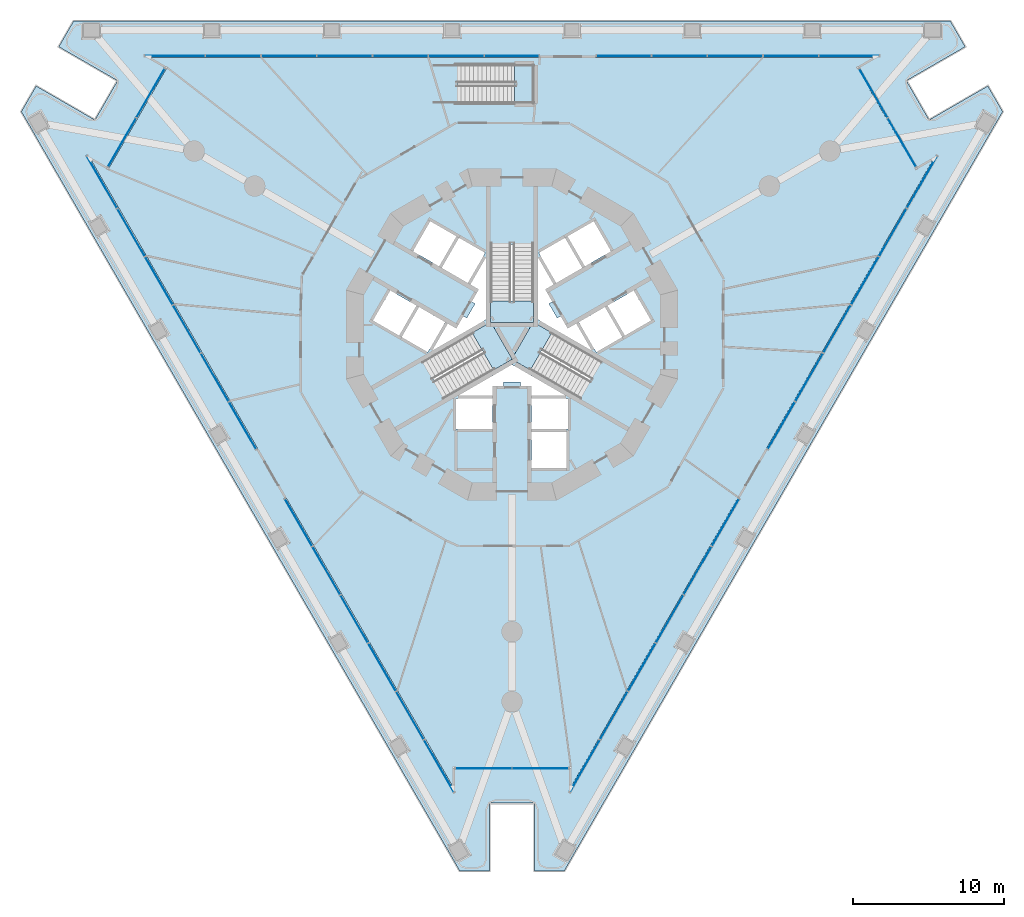
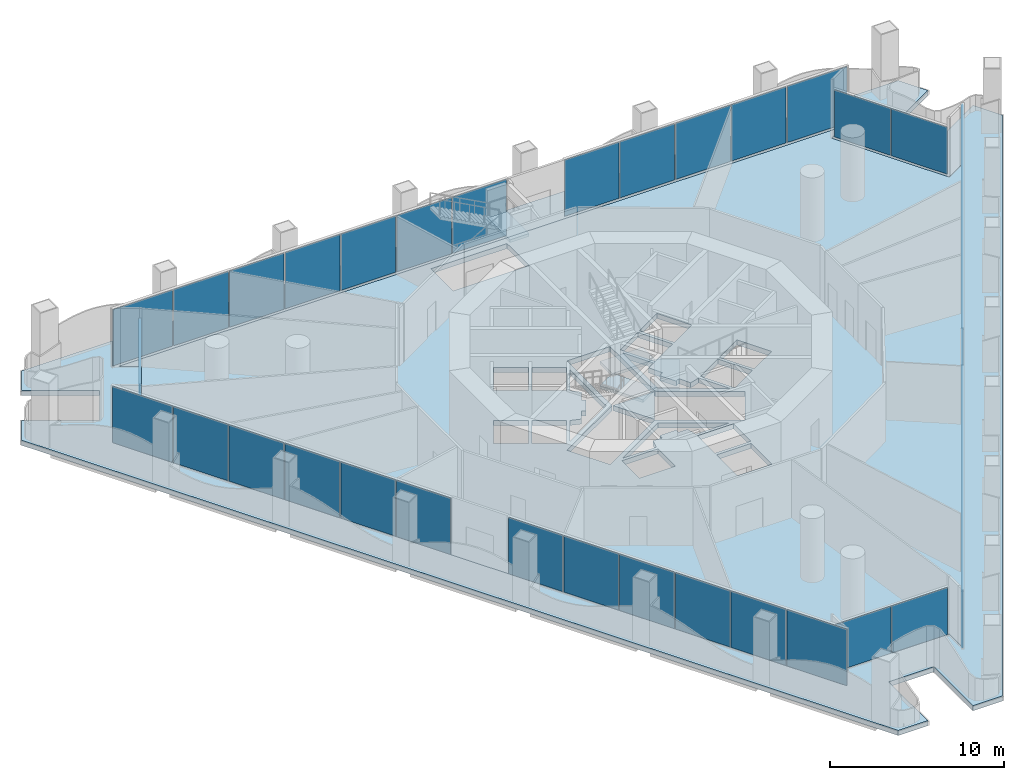
# One storey, part 9 of 22: 42 plates, 7 slabs, 13 elements without a shape of their own.
"""IFC4 building model written with IfcOpenShell, lengths in metres."""

from ifc_helpers import new_model, si_unit, direction, frame, origin, origin_2d, place, context, subcontext, project, spatial, polyline, rectangle, outline, extrude, material, layer, layer_set, type_object, element, aggregate, save


model = new_model("IFC4")

# Units and contexts
model_context = context("Model", 3, precision=1e-05, world=origin(), true_north=direction((0.0, 1.0)))
body_context = subcontext(model_context, "Body", "Model", "MODEL_VIEW")
ifc_project = project(units=[si_unit("LENGTHUNIT", "METRE"), si_unit("AREAUNIT", "SQUARE_METRE"), si_unit("VOLUMEUNIT", "CUBIC_METRE"), si_unit("PLANEANGLEUNIT", "RADIAN"), si_unit("MASSUNIT", "GRAM", prefix="KILO")], contexts=[model_context])

# Site, building, storey
site_placement = place(None, origin())
site = spatial("IfcSite", under=ifc_project, at=site_placement, CompositionType="ELEMENT")
building_placement = place(site_placement, origin())
building = spatial("IfcBuilding", under=site, at=building_placement, Name="Trine Commons Tower", CompositionType="ELEMENT")
storey_placement = place(building_placement, frame((0.0, 0.0, 22.5)))
storey = spatial("IfcBuildingStorey", under=building, at=storey_placement, Name="L04", CompositionType="ELEMENT", Elevation=22.5)

# Curtain wall, plates
ifc_material_1 = material(Name="Corner pocket glazing: anodised aluminium frame with low-emissivity double glazed unit, laminated", Category="aluminium")
ifc_layer_1 = layer(ifc_material_1, 0.179931640625)
ifc_layer_set_1 = layer_set([ifc_layer_1], Name="Corner pocket glazing: anodised aluminium frame with low-emissivity double glazed unit, laminated")
curtain_wall_type_1 = type_object("IfcCurtainWallType", Name="Corner pocket glazing curtain wall CW8", PredefinedType="NOTDEFINED", material=ifc_layer_set_1)
curtain_wall_1_placement = place(storey_placement, origin())
curtain_wall_1 = element("IfcCurtainWall", 1, at=curtain_wall_1_placement, inside=storey, type_object=curtain_wall_type_1, Name="Corner pocket glazing L04 P1.1", PredefinedType="NOTDEFINED")
ifc_material_2 = material(Name="Low-emissivity double glazed unit, laminated")
ifc_layer_2 = layer(ifc_material_2, 0.030029296875)
ifc_layer_set_2 = layer_set([ifc_layer_2], Name="Low-emissivity double glazed unit, laminated")
plate_type_1 = type_object("IfcPlateType", Name="Double glazed unit 30 mm (corner pockets)", PredefinedType="CURTAIN_PANEL", material=ifc_layer_set_2)
plate_1_placement = place(storey_placement, frame((54.15185546875, 75.248291015625, 0.08984375), z_axis=(0.0, 0.0, 1.0), x_axis=(0.5, 0.866025403784, 0.0)))
plate_1 = element("IfcPlate", 2, at=plate_1_placement, type_object=plate_type_1, Name="CW8 panel 1.1", PredefinedType="CURTAIN_PANEL", context=body_context, shape_type="SweptSolid", body=[
    extrude(rectangle(XDim=3.702392578125, YDim=0.030029296875, at=origin_2d()), origin(), (0.0, 0.0, 1.0), 3.300048828125),
])
plate_2_placement = place(storey_placement, frame((56.03564453125, 78.510986328125, 0.08984375), z_axis=(0.0, 0.0, 1.0), x_axis=(0.5, 0.866025403784, 0.0)))
plate_2 = element("IfcPlate", 3, at=plate_2_placement, type_object=plate_type_1, Name="CW8 panel 2.1", PredefinedType="CURTAIN_PANEL", context=body_context, shape_type="SweptSolid", body=[
    extrude(rectangle(XDim=3.702392578125, YDim=0.030029296875, at=origin_2d()), origin(), (0.0, 0.0, 1.0), 3.300048828125),
])
aggregate(curtain_wall_1, [plate_1, plate_2])

curtain_wall_2_placement = place(storey_placement, origin())
curtain_wall_2 = element("IfcCurtainWall", 4, at=curtain_wall_2_placement, inside=storey, type_object=curtain_wall_type_1, Name="Corner pocket glazing L04 P2.1", PredefinedType="NOTDEFINED")
plate_3_placement = place(storey_placement, frame((103.96435546875, 78.510986328125, 0.08984375), z_axis=(0.0, 0.0, 1.0), x_axis=(0.5, -0.866025403784, 0.0)))
plate_3 = element("IfcPlate", 5, at=plate_3_placement, type_object=plate_type_1, Name="CW8 panel 1.1", PredefinedType="CURTAIN_PANEL", context=body_context, shape_type="SweptSolid", body=[
    extrude(rectangle(XDim=3.702392578125, YDim=0.030029296875, at=origin_2d()), origin(), (0.0, 0.0, 1.0), 3.300048828125),
])
plate_4_placement = place(storey_placement, frame((105.84814453125, 75.248291015625, 0.08984375), z_axis=(0.0, 0.0, 1.0), x_axis=(0.5, -0.866025403784, 0.0)))
plate_4 = element("IfcPlate", 6, at=plate_4_placement, type_object=plate_type_1, Name="CW8 panel 2.1", PredefinedType="CURTAIN_PANEL", context=body_context, shape_type="SweptSolid", body=[
    extrude(rectangle(XDim=3.702392578125, YDim=0.030029296875, at=origin_2d()), origin(), (0.0, 0.0, 1.0), 3.300048828125),
])
aggregate(curtain_wall_2, [plate_3, plate_4])

curtain_wall_3_placement = place(storey_placement, origin())
curtain_wall_3 = element("IfcCurtainWall", 7, at=curtain_wall_3_placement, inside=storey, type_object=curtain_wall_type_1, Name="Corner pocket glazing L04 P3.1", PredefinedType="NOTDEFINED")
plate_5_placement = place(storey_placement, frame((81.8837890625, 33.74072265625, 0.08984375), z_axis=(0.0, 0.0, 1.0), x_axis=(-1.0, 0.0, 0.0)))
plate_5 = element("IfcPlate", 8, at=plate_5_placement, type_object=plate_type_1, Name="CW8 panel 1.1", PredefinedType="CURTAIN_PANEL", context=body_context, shape_type="SweptSolid", body=[
    extrude(rectangle(XDim=3.702392578125, YDim=0.030029296875, at=origin_2d()), origin(), (0.0, 0.0, 1.0), 3.300048828125),
])
plate_6_placement = place(storey_placement, frame((78.1162109375, 33.74072265625, 0.08984375), z_axis=(0.0, 0.0, 1.0), x_axis=(-1.0, 0.0, 0.0)))
plate_6 = element("IfcPlate", 9, at=plate_6_placement, type_object=plate_type_1, Name="CW8 panel 2.1", PredefinedType="CURTAIN_PANEL", context=body_context, shape_type="SweptSolid", body=[
    extrude(rectangle(XDim=3.702392578125, YDim=0.030029296875, at=origin_2d()), origin(), (0.0, 0.0, 1.0), 3.300048828125),
])
aggregate(curtain_wall_3, [plate_5, plate_6])

ifc_material_3 = material(Name="Podium glazing: anodised aluminium frame with low-emissivity double glazed unit", Category="aluminium")
ifc_layer_3 = layer(ifc_material_3, 0.199951171875)
ifc_layer_set_3 = layer_set([ifc_layer_3], Name="Podium glazing: anodised aluminium frame with low-emissivity double glazed unit")
curtain_wall_type_2 = type_object("IfcCurtainWallType", Name="Podium glazing curtain wall CW3", PredefinedType="NOTDEFINED", material=ifc_layer_set_3)
curtain_wall_4_placement = place(storey_placement, origin())
curtain_wall_4 = element("IfcCurtainWall", 10, at=curtain_wall_4_placement, inside=storey, type_object=curtain_wall_type_2, Name="Podium glazing L04 F1.1", PredefinedType="NOTDEFINED")
ifc_material_4 = material(Name="Low-emissivity double glazed unit")
ifc_layer_4 = layer(ifc_material_4, 0.031982421875)
ifc_layer_set_4 = layer_set([ifc_layer_4], Name="Low-emissivity double glazed unit")
plate_type_2 = type_object("IfcPlateType", Name="Double glazed unit 32 mm", PredefinedType="CURTAIN_PANEL", material=ifc_layer_set_4)
plate_7_placement = place(storey_placement, frame((57.638427734375, 80.984619140625, 0.10009765625), z_axis=(0.0, 0.0, 1.0), x_axis=(1.0, 0.0, 0.0)))
plate_7 = element("IfcPlate", 11, at=plate_7_placement, type_object=plate_type_2, Name="CW3 panel 1.1", PredefinedType="CURTAIN_PANEL", context=body_context, shape_type="SweptSolid", body=[
    extrude(rectangle(XDim=3.959716796875, YDim=0.031982421875, at=origin_2d()), origin(), (0.0, 0.0, 1.0), 3.949951171875),
])
plate_8_placement = place(storey_placement, frame((61.50537109375, 80.984619140625, 0.10009765625), z_axis=(0.0, 0.0, 1.0), x_axis=(1.0, 0.0, 0.0)))
plate_8 = element("IfcPlate", 12, at=plate_8_placement, type_object=plate_type_2, Name="CW3 panel 2.1", PredefinedType="CURTAIN_PANEL", context=body_context, shape_type="SweptSolid", body=[
    extrude(rectangle(XDim=3.623779296875, YDim=0.031982421875, at=origin_2d()), origin(), (0.0, 0.0, 1.0), 3.949951171875),
])
plate_9_placement = place(storey_placement, frame((65.2041015625, 80.984619140625, 0.10009765625), z_axis=(0.0, 0.0, 1.0), x_axis=(1.0, 0.0, 0.0)))
plate_9 = element("IfcPlate", 13, at=plate_9_placement, type_object=plate_type_2, Name="CW3 panel 3.1", PredefinedType="CURTAIN_PANEL", context=body_context, shape_type="SweptSolid", body=[
    extrude(rectangle(XDim=3.623779296875, YDim=0.031982421875, at=origin_2d()), origin(), (0.0, 0.0, 1.0), 3.949951171875),
])
plate_10_placement = place(storey_placement, frame((68.903076171875, 80.984619140625, 0.10009765625), z_axis=(0.0, 0.0, 1.0), x_axis=(1.0, 0.0, 0.0)))
plate_10 = element("IfcPlate", 14, at=plate_10_placement, type_object=plate_type_2, Name="CW3 panel 4.1", PredefinedType="CURTAIN_PANEL", context=body_context, shape_type="SweptSolid", body=[
    extrude(rectangle(XDim=3.623779296875, YDim=0.031982421875, at=origin_2d()), origin(), (0.0, 0.0, 1.0), 3.949951171875),
])
plate_11_placement = place(storey_placement, frame((72.60205078125, 80.984619140625, 0.10009765625), z_axis=(0.0, 0.0, 1.0), x_axis=(1.0, 0.0, 0.0)))
plate_11 = element("IfcPlate", 15, at=plate_11_placement, type_object=plate_type_2, Name="CW3 panel 5.1", PredefinedType="CURTAIN_PANEL", context=body_context, shape_type="SweptSolid", body=[
    extrude(rectangle(XDim=3.623779296875, YDim=0.031982421875, at=origin_2d()), origin(), (0.0, 0.0, 1.0), 3.949951171875),
])
plate_12_placement = place(storey_placement, frame((76.30078125, 80.984619140625, 0.10009765625), z_axis=(0.0, 0.0, 1.0), x_axis=(1.0, 0.0, 0.0)))
plate_12 = element("IfcPlate", 16, at=plate_12_placement, type_object=plate_type_2, Name="CW3 panel 6.1", PredefinedType="CURTAIN_PANEL", context=body_context, shape_type="SweptSolid", body=[
    extrude(rectangle(XDim=3.623779296875, YDim=0.031982421875, at=origin_2d()), origin(), (0.0, 0.0, 1.0), 3.949951171875),
])
plate_13_placement = place(storey_placement, frame((79.98095703125, 80.984619140625, 0.10009765625), z_axis=(0.0, 0.0, 1.0), x_axis=(1.0, 0.0, 0.0)))
plate_13 = element("IfcPlate", 17, at=plate_13_placement, type_object=plate_type_2, Name="CW3 panel 7.1", PredefinedType="CURTAIN_PANEL", context=body_context, shape_type="SweptSolid", body=[
    extrude(rectangle(XDim=3.58642578125, YDim=0.031982421875, at=origin_2d()), origin(), (0.0, 0.0, 1.0), 3.949951171875),
])
aggregate(curtain_wall_4, [plate_7, plate_8, plate_9, plate_10, plate_11, plate_12, plate_13])

curtain_wall_5_placement = place(storey_placement, origin())
curtain_wall_5 = element("IfcCurtainWall", 18, at=curtain_wall_5_placement, inside=storey, type_object=curtain_wall_type_2, Name="Podium glazing L04 F1.2", PredefinedType="NOTDEFINED")
plate_14_placement = place(storey_placement, frame((87.416259765625, 80.984619140625, 0.10009765625), z_axis=(0.0, 0.0, 1.0), x_axis=(1.0, 0.0, 0.0)))
plate_14 = element("IfcPlate", 19, at=plate_14_placement, type_object=plate_type_2, Name="CW3 panel 1.1", PredefinedType="CURTAIN_PANEL", context=body_context, shape_type="SweptSolid", body=[
    extrude(rectangle(XDim=3.58642578125, YDim=0.031982421875, at=origin_2d()), origin(), (0.0, 0.0, 1.0), 3.949951171875),
])
plate_15_placement = place(storey_placement, frame((91.096435546875, 80.984619140625, 0.10009765625), z_axis=(0.0, 0.0, 1.0), x_axis=(1.0, 0.0, 0.0)))
plate_15 = element("IfcPlate", 20, at=plate_15_placement, type_object=plate_type_2, Name="CW3 panel 2.1", PredefinedType="CURTAIN_PANEL", context=body_context, shape_type="SweptSolid", body=[
    extrude(rectangle(XDim=3.623779296875, YDim=0.031982421875, at=origin_2d()), origin(), (0.0, 0.0, 1.0), 3.949951171875),
])
plate_16_placement = place(storey_placement, frame((94.79541015625, 80.984619140625, 0.10009765625), z_axis=(0.0, 0.0, 1.0), x_axis=(1.0, 0.0, 0.0)))
plate_16 = element("IfcPlate", 21, at=plate_16_placement, type_object=plate_type_2, Name="CW3 panel 3.1", PredefinedType="CURTAIN_PANEL", context=body_context, shape_type="SweptSolid", body=[
    extrude(rectangle(XDim=3.623779296875, YDim=0.031982421875, at=origin_2d()), origin(), (0.0, 0.0, 1.0), 3.949951171875),
])
plate_17_placement = place(storey_placement, frame((98.494384765625, 80.984619140625, 0.10009765625), z_axis=(0.0, 0.0, 1.0), x_axis=(1.0, 0.0, 0.0)))
plate_17 = element("IfcPlate", 22, at=plate_17_placement, type_object=plate_type_2, Name="CW3 panel 4.1", PredefinedType="CURTAIN_PANEL", context=body_context, shape_type="SweptSolid", body=[
    extrude(rectangle(XDim=3.623779296875, YDim=0.031982421875, at=origin_2d()), origin(), (0.0, 0.0, 1.0), 3.949951171875),
])
plate_18_placement = place(storey_placement, frame((102.361328125, 80.984619140625, 0.10009765625), z_axis=(0.0, 0.0, 1.0), x_axis=(1.0, 0.0, 0.0)))
plate_18 = element("IfcPlate", 23, at=plate_18_placement, type_object=plate_type_2, Name="CW3 panel 5.1", PredefinedType="CURTAIN_PANEL", context=body_context, shape_type="SweptSolid", body=[
    extrude(rectangle(XDim=3.960205078125, YDim=0.031982421875, at=origin_2d()), origin(), (0.0, 0.0, 1.0), 3.949951171875),
])
aggregate(curtain_wall_5, [plate_14, plate_15, plate_16, plate_17, plate_18])

curtain_wall_6_placement = place(storey_placement, origin())
curtain_wall_6 = element("IfcCurtainWall", 24, at=curtain_wall_6_placement, inside=storey, type_object=curtain_wall_type_2, Name="Podium glazing L04 F2.1", PredefinedType="NOTDEFINED")
plate_19_placement = place(storey_placement, frame((107.18896484375, 72.623291015625, 0.10009765625), z_axis=(0.0, 0.0, 1.0), x_axis=(-0.5, -0.866025403784, 0.0)))
plate_19 = element("IfcPlate", 25, at=plate_19_placement, type_object=plate_type_2, Name="CW3 panel 1.1", PredefinedType="CURTAIN_PANEL", context=body_context, shape_type="SweptSolid", body=[
    extrude(rectangle(XDim=3.959716796875, YDim=0.031982421875, at=origin_2d()), origin(), (0.0, 0.0, 1.0), 3.949951171875),
])
plate_20_placement = place(storey_placement, frame((105.255615234375, 69.274658203125, 0.10009765625), z_axis=(0.0, 0.0, 1.0), x_axis=(-0.5, -0.866025403784, 0.0)))
plate_20 = element("IfcPlate", 26, at=plate_20_placement, type_object=plate_type_2, Name="CW3 panel 2.1", PredefinedType="CURTAIN_PANEL", context=body_context, shape_type="SweptSolid", body=[
    extrude(rectangle(XDim=3.623779296875, YDim=0.031982421875, at=origin_2d()), origin(), (0.0, 0.0, 1.0), 3.949951171875),
])
plate_21_placement = place(storey_placement, frame((103.406005859375, 66.0712890625, 0.10009765625), z_axis=(0.0, 0.0, 1.0), x_axis=(-0.5, -0.866025403784, 0.0)))
plate_21 = element("IfcPlate", 27, at=plate_21_placement, type_object=plate_type_2, Name="CW3 panel 3.1", PredefinedType="CURTAIN_PANEL", context=body_context, shape_type="SweptSolid", body=[
    extrude(rectangle(XDim=3.623779296875, YDim=0.031982421875, at=origin_2d()), origin(), (0.0, 0.0, 1.0), 3.949951171875),
])
plate_22_placement = place(storey_placement, frame((101.556640625, 62.867919921875, 0.10009765625), z_axis=(0.0, 0.0, 1.0), x_axis=(-0.5, -0.866025403784, 0.0)))
plate_22 = element("IfcPlate", 28, at=plate_22_placement, type_object=plate_type_2, Name="CW3 panel 4.1", PredefinedType="CURTAIN_PANEL", context=body_context, shape_type="SweptSolid", body=[
    extrude(rectangle(XDim=3.623779296875, YDim=0.031982421875, at=origin_2d()), origin(), (0.0, 0.0, 1.0), 3.949951171875),
])
plate_23_placement = place(storey_placement, frame((99.707275390625, 59.66455078125, 0.10009765625), z_axis=(0.0, 0.0, 1.0), x_axis=(-0.5, -0.866025403784, 0.0)))
plate_23 = element("IfcPlate", 29, at=plate_23_placement, type_object=plate_type_2, Name="CW3 panel 5.1", PredefinedType="CURTAIN_PANEL", context=body_context, shape_type="SweptSolid", body=[
    extrude(rectangle(XDim=3.623779296875, YDim=0.031982421875, at=origin_2d()), origin(), (0.0, 0.0, 1.0), 3.949951171875),
])
plate_24_placement = place(storey_placement, frame((97.8671875, 56.4775390625, 0.10009765625), z_axis=(0.0, 0.0, 1.0), x_axis=(-0.5, -0.866025403784, 0.0)))
plate_24 = element("IfcPlate", 30, at=plate_24_placement, type_object=plate_type_2, Name="CW3 panel 6.1", PredefinedType="CURTAIN_PANEL", context=body_context, shape_type="SweptSolid", body=[
    extrude(rectangle(XDim=3.58642578125, YDim=0.031982421875, at=origin_2d()), origin(), (0.0, 0.0, 1.0), 3.949951171875),
])
aggregate(curtain_wall_6, [plate_19, plate_20, plate_21, plate_22, plate_23, plate_24])

curtain_wall_7_placement = place(storey_placement, origin())
curtain_wall_7 = element("IfcCurtainWall", 31, at=curtain_wall_7_placement, inside=storey, type_object=curtain_wall_type_2, Name="Podium glazing L04 F2.2", PredefinedType="NOTDEFINED")
plate_25_placement = place(storey_placement, frame((94.1494140625, 50.038330078125, 0.10009765625), z_axis=(0.0, 0.0, 1.0), x_axis=(-0.5, -0.866025403784, 0.0)))
plate_25 = element("IfcPlate", 32, at=plate_25_placement, type_object=plate_type_2, Name="CW3 panel 1.1", PredefinedType="CURTAIN_PANEL", context=body_context, shape_type="SweptSolid", body=[
    extrude(rectangle(XDim=3.58642578125, YDim=0.031982421875, at=origin_2d()), origin(), (0.0, 0.0, 1.0), 3.949951171875),
])
plate_26_placement = place(storey_placement, frame((92.309326171875, 46.851318359375, 0.10009765625), z_axis=(0.0, 0.0, 1.0), x_axis=(-0.5, -0.866025403784, 0.0)))
plate_26 = element("IfcPlate", 33, at=plate_26_placement, type_object=plate_type_2, Name="CW3 panel 2.1", PredefinedType="CURTAIN_PANEL", context=body_context, shape_type="SweptSolid", body=[
    extrude(rectangle(XDim=3.623779296875, YDim=0.031982421875, at=origin_2d()), origin(), (0.0, 0.0, 1.0), 3.949951171875),
])
plate_27_placement = place(storey_placement, frame((90.4599609375, 43.64794921875, 0.10009765625), z_axis=(0.0, 0.0, 1.0), x_axis=(-0.5, -0.866025403784, 0.0)))
plate_27 = element("IfcPlate", 34, at=plate_27_placement, type_object=plate_type_2, Name="CW3 panel 3.1", PredefinedType="CURTAIN_PANEL", context=body_context, shape_type="SweptSolid", body=[
    extrude(rectangle(XDim=3.623779296875, YDim=0.031982421875, at=origin_2d()), origin(), (0.0, 0.0, 1.0), 3.949951171875),
])
plate_28_placement = place(storey_placement, frame((88.610595703125, 40.444580078125, 0.10009765625), z_axis=(0.0, 0.0, 1.0), x_axis=(-0.5, -0.866025403784, 0.0)))
plate_28 = element("IfcPlate", 35, at=plate_28_placement, type_object=plate_type_2, Name="CW3 panel 4.1", PredefinedType="CURTAIN_PANEL", context=body_context, shape_type="SweptSolid", body=[
    extrude(rectangle(XDim=3.623779296875, YDim=0.031982421875, at=origin_2d()), origin(), (0.0, 0.0, 1.0), 3.949951171875),
])
plate_29_placement = place(storey_placement, frame((86.760986328125, 37.2412109375, 0.10009765625), z_axis=(0.0, 0.0, 1.0), x_axis=(-0.5, -0.866025403784, 0.0)))
plate_29 = element("IfcPlate", 36, at=plate_29_placement, type_object=plate_type_2, Name="CW3 panel 5.1", PredefinedType="CURTAIN_PANEL", context=body_context, shape_type="SweptSolid", body=[
    extrude(rectangle(XDim=3.623779296875, YDim=0.031982421875, at=origin_2d()), origin(), (0.0, 0.0, 1.0), 3.949951171875),
])
plate_30_placement = place(storey_placement, frame((84.827392578125, 33.892333984375, 0.10009765625), z_axis=(0.0, 0.0, 1.0), x_axis=(-0.5, -0.866025403784, 0.0)))
plate_30 = element("IfcPlate", 37, at=plate_30_placement, type_object=plate_type_2, Name="CW3 panel 6.1", PredefinedType="CURTAIN_PANEL", context=body_context, shape_type="SweptSolid", body=[
    extrude(rectangle(XDim=3.960205078125, YDim=0.031982421875, at=origin_2d()), origin(), (0.0, 0.0, 1.0), 3.949951171875),
])
aggregate(curtain_wall_7, [plate_25, plate_26, plate_27, plate_28, plate_29, plate_30])

curtain_wall_8_placement = place(storey_placement, origin())
curtain_wall_8 = element("IfcCurtainWall", 38, at=curtain_wall_8_placement, inside=storey, type_object=curtain_wall_type_2, Name="Podium glazing L04 F3.1", PredefinedType="NOTDEFINED")
plate_31_placement = place(storey_placement, frame((75.172607421875, 33.89208984375, 0.10009765625), z_axis=(0.0, 0.0, 1.0), x_axis=(-0.5, 0.866025403784, 0.0)))
plate_31 = element("IfcPlate", 39, at=plate_31_placement, type_object=plate_type_2, Name="CW3 panel 1.1", PredefinedType="CURTAIN_PANEL", context=body_context, shape_type="SweptSolid", body=[
    extrude(rectangle(XDim=3.959716796875, YDim=0.031982421875, at=origin_2d()), origin(), (0.0, 0.0, 1.0), 3.949951171875),
])
plate_32_placement = place(storey_placement, frame((73.2392578125, 37.24072265625, 0.10009765625), z_axis=(0.0, 0.0, 1.0), x_axis=(-0.5, 0.866025403784, 0.0)))
plate_32 = element("IfcPlate", 40, at=plate_32_placement, type_object=plate_type_2, Name="CW3 panel 2.1", PredefinedType="CURTAIN_PANEL", context=body_context, shape_type="SweptSolid", body=[
    extrude(rectangle(XDim=3.623779296875, YDim=0.031982421875, at=origin_2d()), origin(), (0.0, 0.0, 1.0), 3.949951171875),
])
plate_33_placement = place(storey_placement, frame((71.389892578125, 40.444091796875, 0.10009765625), z_axis=(0.0, 0.0, 1.0), x_axis=(-0.5, 0.866025403784, 0.0)))
plate_33 = element("IfcPlate", 41, at=plate_33_placement, type_object=plate_type_2, Name="CW3 panel 3.1", PredefinedType="CURTAIN_PANEL", context=body_context, shape_type="SweptSolid", body=[
    extrude(rectangle(XDim=3.623779296875, YDim=0.031982421875, at=origin_2d()), origin(), (0.0, 0.0, 1.0), 3.949951171875),
])
plate_34_placement = place(storey_placement, frame((69.540283203125, 43.6474609375, 0.10009765625), z_axis=(0.0, 0.0, 1.0), x_axis=(-0.5, 0.866025403784, 0.0)))
plate_34 = element("IfcPlate", 42, at=plate_34_placement, type_object=plate_type_2, Name="CW3 panel 4.1", PredefinedType="CURTAIN_PANEL", context=body_context, shape_type="SweptSolid", body=[
    extrude(rectangle(XDim=3.623779296875, YDim=0.031982421875, at=origin_2d()), origin(), (0.0, 0.0, 1.0), 3.949951171875),
])
plate_35_placement = place(storey_placement, frame((67.69091796875, 46.850830078125, 0.10009765625), z_axis=(0.0, 0.0, 1.0), x_axis=(-0.5, 0.866025403784, 0.0)))
plate_35 = element("IfcPlate", 43, at=plate_35_placement, type_object=plate_type_2, Name="CW3 panel 5.1", PredefinedType="CURTAIN_PANEL", context=body_context, shape_type="SweptSolid", body=[
    extrude(rectangle(XDim=3.623779296875, YDim=0.031982421875, at=origin_2d()), origin(), (0.0, 0.0, 1.0), 3.949951171875),
])
plate_36_placement = place(storey_placement, frame((65.850830078125, 50.037841796875, 0.10009765625), z_axis=(0.0, 0.0, 1.0), x_axis=(-0.5, 0.866025403784, 0.0)))
plate_36 = element("IfcPlate", 44, at=plate_36_placement, type_object=plate_type_2, Name="CW3 panel 6.1", PredefinedType="CURTAIN_PANEL", context=body_context, shape_type="SweptSolid", body=[
    extrude(rectangle(XDim=3.58642578125, YDim=0.031982421875, at=origin_2d()), origin(), (0.0, 0.0, 1.0), 3.949951171875),
])
aggregate(curtain_wall_8, [plate_31, plate_32, plate_33, plate_34, plate_35, plate_36])

curtain_wall_9_placement = place(storey_placement, origin())
curtain_wall_9 = element("IfcCurtainWall", 45, at=curtain_wall_9_placement, inside=storey, type_object=curtain_wall_type_2, Name="Podium glazing L04 F3.2", PredefinedType="NOTDEFINED")
plate_37_placement = place(storey_placement, frame((62.133056640625, 56.47705078125, 0.10009765625), z_axis=(0.0, 0.0, 1.0), x_axis=(-0.5, 0.866025403784, 0.0)))
plate_37 = element("IfcPlate", 46, at=plate_37_placement, type_object=plate_type_2, Name="CW3 panel 1.1", PredefinedType="CURTAIN_PANEL", context=body_context, shape_type="SweptSolid", body=[
    extrude(rectangle(XDim=3.58642578125, YDim=0.031982421875, at=origin_2d()), origin(), (0.0, 0.0, 1.0), 3.949951171875),
])
plate_38_placement = place(storey_placement, frame((60.293212890625, 59.664306640625, 0.10009765625), z_axis=(0.0, 0.0, 1.0), x_axis=(-0.5, 0.866025403784, 0.0)))
plate_38 = element("IfcPlate", 47, at=plate_38_placement, type_object=plate_type_2, Name="CW3 panel 2.1", PredefinedType="CURTAIN_PANEL", context=body_context, shape_type="SweptSolid", body=[
    extrude(rectangle(XDim=3.623779296875, YDim=0.031982421875, at=origin_2d()), origin(), (0.0, 0.0, 1.0), 3.949951171875),
])
plate_39_placement = place(storey_placement, frame((58.443603515625, 62.867431640625, 0.10009765625), z_axis=(0.0, 0.0, 1.0), x_axis=(-0.5, 0.866025403784, 0.0)))
plate_39 = element("IfcPlate", 48, at=plate_39_placement, type_object=plate_type_2, Name="CW3 panel 3.1", PredefinedType="CURTAIN_PANEL", context=body_context, shape_type="SweptSolid", body=[
    extrude(rectangle(XDim=3.623779296875, YDim=0.031982421875, at=origin_2d()), origin(), (0.0, 0.0, 1.0), 3.949951171875),
])
plate_40_placement = place(storey_placement, frame((56.59423828125, 66.07080078125, 0.10009765625), z_axis=(0.0, 0.0, 1.0), x_axis=(-0.5, 0.866025403784, 0.0)))
plate_40 = element("IfcPlate", 49, at=plate_40_placement, type_object=plate_type_2, Name="CW3 panel 4.1", PredefinedType="CURTAIN_PANEL", context=body_context, shape_type="SweptSolid", body=[
    extrude(rectangle(XDim=3.623779296875, YDim=0.031982421875, at=origin_2d()), origin(), (0.0, 0.0, 1.0), 3.949951171875),
])
plate_41_placement = place(storey_placement, frame((54.74462890625, 69.274169921875, 0.10009765625), z_axis=(0.0, 0.0, 1.0), x_axis=(-0.5, 0.866025403784, 0.0)))
plate_41 = element("IfcPlate", 50, at=plate_41_placement, type_object=plate_type_2, Name="CW3 panel 5.1", PredefinedType="CURTAIN_PANEL", context=body_context, shape_type="SweptSolid", body=[
    extrude(rectangle(XDim=3.623779296875, YDim=0.031982421875, at=origin_2d()), origin(), (0.0, 0.0, 1.0), 3.949951171875),
])
plate_42_placement = place(storey_placement, frame((52.811279296875, 72.623046875, 0.10009765625), z_axis=(0.0, 0.0, 1.0), x_axis=(-0.5, 0.866025403784, 0.0)))
plate_42 = element("IfcPlate", 51, at=plate_42_placement, type_object=plate_type_2, Name="CW3 panel 6.1", PredefinedType="CURTAIN_PANEL", context=body_context, shape_type="SweptSolid", body=[
    extrude(rectangle(XDim=3.960205078125, YDim=0.031982421875, at=origin_2d()), origin(), (0.0, 0.0, 1.0), 3.949951171875),
])
aggregate(curtain_wall_9, [plate_37, plate_38, plate_39, plate_40, plate_41, plate_42])

# Slabs
ifc_material_5 = material(Name="Concrete C50/60", Category="concrete")
ifc_layer_5 = layer(ifc_material_5, 0.35009765625)
ifc_layer_set_5 = layer_set([ifc_layer_5], Name="Concrete C50/60")
slab_type_1 = type_object("IfcSlabType", Name="Loggia slab 350 mm, C50/60", PredefinedType="FLOOR", material=ifc_layer_set_5)
slab_1_placement = place(storey_placement, frame((0.0, 0.0, -0.35009765625)))
element("IfcSlab", 52, at=slab_1_placement, inside=storey, type_object=slab_type_1, Name="Loggia slab L04", PredefinedType="FLOOR", context=body_context, shape_type="SweptSolid", body=[
    extrude(outline(polyline([(83.464111328125, 26.930908203125), (112.535888671875, 77.28466796875), (111.5537109375, 78.985595703125), (107.65673828125, 76.735595703125), (106.15673828125, 79.33349609375), (110.0537109375, 81.58349609375), (109.07177734375, 83.28466796875), (50.92822265625, 83.28466796875), (49.9462890625, 81.58349609375), (53.84326171875, 79.33349609375), (52.34326171875, 76.735595703125), (48.4462890625, 78.985595703125), (47.464111328125, 77.28466796875), (76.535888671875, 26.930908203125), (78.5, 26.930908203125), (78.5, 31.430908203125), (81.5, 31.430908203125), (81.5, 26.930908203125), (83.464111328125, 26.930908203125)]), holes=[polyline([(76.10009765625, 32.48583984375), (76.10009765625, 33.830810546875), (83.89990234375, 33.830810546875), (83.89990234375, 32.48583984375), (107.943115234375, 74.129638671875), (106.7783203125, 73.45703125), (102.87841796875, 80.212158203125), (104.043212890625, 80.884521484375), (55.956787109375, 80.884521484375), (57.12158203125, 80.212158203125), (53.2216796875, 73.45703125), (52.056884765625, 74.129638671875), (76.10009765625, 32.48583984375)])]), origin(), (0.0, 0.0, 1.0), 0.35009765625),
])
ifc_layer_6 = layer(ifc_material_5, 0.35009765625)
ifc_layer_set_6 = layer_set([ifc_layer_6], Name="Concrete C50/60")
slab_type_2 = type_object("IfcSlabType", Name="Podium PT slab 350 mm, C50/60", PredefinedType="FLOOR", material=ifc_layer_set_6)
slab_2_placement = place(storey_placement, frame((0.0, 0.0, -0.35009765625)))
element("IfcSlab", 53, at=slab_2_placement, inside=storey, type_object=slab_type_2, Name="Floor slab L04", PredefinedType="FLOOR", context=body_context, shape_type="SweptSolid", body=[
    extrude(outline(polyline([(52.056884765625, 74.129638671875), (76.10009765625, 32.48583984375), (76.10009765625, 33.830810546875), (83.89990234375, 33.830810546875), (83.89990234375, 32.48583984375), (107.943115234375, 74.129638671875), (106.7783203125, 73.45703125), (102.87841796875, 80.212158203125), (104.043212890625, 80.884521484375), (55.956787109375, 80.884521484375), (57.12158203125, 80.212158203125), (53.2216796875, 73.45703125), (52.056884765625, 74.129638671875)]), holes=[polyline([(76.300048828125, 56.25), (78.699951171875, 56.25), (78.699951171875, 58.25), (76.300048828125, 58.25), (76.300048828125, 56.25)]), polyline([(80.0, 60.8544921875), (84.4755859375, 58.2705078125), (85.900390625, 60.73876953125), (81.425048828125, 63.32275390625), (81.425048828125, 68.490478515625), (78.574951171875, 68.490478515625), (78.574951171875, 63.32275390625), (74.099609375, 60.73876953125), (75.5244140625, 58.2705078125), (80.0, 60.8544921875)]), polyline([(73.83740234375, 64.325927734375), (72.687255859375, 62.333984375), (74.41943359375, 61.333984375), (75.5693359375, 63.325927734375), (73.83740234375, 64.325927734375)]), polyline([(71.93212890625, 65.426025390625), (70.781982421875, 63.43408203125), (72.51416015625, 62.43408203125), (73.6640625, 64.426025390625), (71.93212890625, 65.426025390625)]), polyline([(76.781005859375, 63.722900390625), (76.381103515625, 63.031005859375), (75.742919921875, 63.22607421875), (74.7099609375, 61.43798828125), (78.27490234375, 63.49609375), (78.27490234375, 67.612060546875), (77.242919921875, 65.823974609375), (77.73095703125, 65.368896484375), (77.3310546875, 64.676025390625), (77.555908203125, 64.5458984375), (77.006103515625, 63.593994140625), (76.781005859375, 63.722900390625)]), polyline([(76.4873046875, 68.916015625), (75.33740234375, 66.924072265625), (77.0693359375, 65.924072265625), (78.219482421875, 67.916015625), (76.4873046875, 68.916015625)]), polyline([(76.314208984375, 69.015869140625), (74.58203125, 70.015869140625), (73.43212890625, 68.02392578125), (75.1640625, 67.02392578125), (76.314208984375, 69.015869140625)]), polyline([(76.419921875, 77.8349609375), (81.4599609375, 77.8349609375), (81.4599609375, 80.385009765625), (76.419921875, 80.385009765625), (76.419921875, 77.8349609375)]), polyline([(81.300048828125, 53.64990234375), (83.60009765625, 53.64990234375), (83.60009765625, 56.050048828125), (81.300048828125, 56.050048828125), (81.300048828125, 53.64990234375)]), polyline([(81.300048828125, 56.25), (83.699951171875, 56.25), (83.699951171875, 58.25), (81.300048828125, 58.25), (81.300048828125, 56.25)]), polyline([(81.14990234375, 59.10009765625), (81.300048828125, 58.449951171875), (83.56494140625, 58.449951171875), (80.0, 60.508056640625), (76.43505859375, 58.449951171875), (78.699951171875, 58.449951171875), (78.85009765625, 59.10009765625), (79.449951171875, 59.10009765625), (79.449951171875, 59.360107421875), (80.550048828125, 59.360107421875), (80.550048828125, 59.10009765625), (81.14990234375, 59.10009765625)]), polyline([(87.312744140625, 62.333984375), (86.16259765625, 64.325927734375), (84.4306640625, 63.325927734375), (85.58056640625, 61.333984375), (87.312744140625, 62.333984375)]), polyline([(89.218017578125, 63.43408203125), (88.06787109375, 65.426025390625), (86.3359375, 64.426025390625), (87.48583984375, 62.43408203125), (89.218017578125, 63.43408203125)]), polyline([(83.243896484375, 63.738037109375), (82.993896484375, 63.593994140625), (82.444091796875, 64.5458984375), (82.72705078125, 64.7099609375), (82.281005859375, 65.549072265625), (82.757080078125, 65.823974609375), (81.72509765625, 67.612060546875), (81.72509765625, 63.49609375), (85.2900390625, 61.43798828125), (84.257080078125, 63.22607421875), (83.618896484375, 63.031005859375), (83.243896484375, 63.738037109375)]), polyline([(82.9306640625, 65.924072265625), (84.66259765625, 66.924072265625), (83.5126953125, 68.916015625), (81.780517578125, 67.916015625), (82.9306640625, 65.924072265625)]), polyline([(84.8359375, 67.02392578125), (86.56787109375, 68.02392578125), (85.41796875, 70.015869140625), (83.685791015625, 69.015869140625), (84.8359375, 67.02392578125)])]), origin(), (0.0, 0.0, 1.0), 0.35009765625),
])
slab_3_placement = place(storey_placement, frame((0.0, 0.0, -0.35009765625)))
element("IfcSlab", 54, at=slab_3_placement, inside=storey, type_object=slab_type_2, Name="Floor slab L04 2", PredefinedType="FLOOR", context=body_context, shape_type="SweptSolid", body=[
    extrude(outline(polyline([(78.61328125, 63.300537109375), (80.0, 60.89892578125), (81.38671875, 63.300537109375), (78.61328125, 63.300537109375)])), origin(), (0.0, 0.0, 1.0), 0.35009765625),
])

# Stair, slab
ifc_material_6 = material(Name="Concrete C40/50", Category="concrete")
stair_type_1 = type_object("IfcStairType", Name="Podium stair, dog-leg 1200 mm, C40/50", PredefinedType="HALF_TURN_STAIR", material=ifc_material_6)
stair_1_placement = place(storey_placement, origin())
stair_1 = element("IfcStair", 55, at=stair_1_placement, inside=storey, type_object=stair_type_1, Name="L04 Podium stair", PredefinedType="HALF_TURN_STAIR")
ifc_layer_7 = layer(ifc_material_6, 0.199951171875)
ifc_layer_set_7 = layer_set([ifc_layer_7], Name="Concrete C40/50")
slab_type_3 = type_object("IfcSlabType", Name="Podium stair landing 200 mm, C40/50", PredefinedType="LANDING", material=ifc_layer_set_7)
slab_4_placement = place(storey_placement, frame((0.0, 0.0, 2.050048828125)))
slab_4 = element("IfcSlab", 56, at=slab_4_placement, type_object=slab_type_3, Name="PS1 landing 1", PredefinedType="LANDING", context=body_context, shape_type="SweptSolid", body=[
    extrude(outline(polyline([(80.179931640625, 77.8349609375), (81.4599609375, 77.8349609375), (81.4599609375, 80.385009765625), (80.179931640625, 80.385009765625), (80.179931640625, 77.8349609375)])), origin(), (0.0, 0.0, 1.0), 0.199951171875),
])
aggregate(stair_1, [slab_4])

stair_type_2 = type_object("IfcStairType", Name="Exit stair, dog-leg, 30 risers of 150 mm", PredefinedType="HALF_TURN_STAIR", material=ifc_material_5)
stair_2_placement = place(storey_placement, origin())
stair_2 = element("IfcStair", 57, at=stair_2_placement, inside=storey, type_object=stair_type_2, Name="L04 Exit stair ST1A", PredefinedType="HALF_TURN_STAIR")
ifc_layer_8 = layer(ifc_material_5, 0.199951171875)
ifc_layer_set_8 = layer_set([ifc_layer_8], Name="Concrete C50/60")
slab_type_4 = type_object("IfcSlabType", Name="Stair landing slab 200 mm, C50/60", PredefinedType="LANDING", material=ifc_layer_set_8)
slab_5_placement = place(storey_placement, frame((0.0, 0.0, 2.050048828125)))
slab_5 = element("IfcSlab", 58, at=slab_5_placement, type_object=slab_type_4, Name="ST1A landing 1", PredefinedType="LANDING", context=body_context, shape_type="SweptSolid", body=[
    extrude(outline(polyline([(78.574951171875, 64.730712890625), (78.574951171875, 63.300537109375), (81.425048828125, 63.300537109375), (81.425048828125, 64.730712890625), (78.574951171875, 64.730712890625)])), origin(), (0.0, 0.0, 1.0), 0.199951171875),
])
aggregate(stair_2, [slab_5])

stair_3_placement = place(storey_placement, origin())
stair_3 = element("IfcStair", 59, at=stair_3_placement, inside=storey, type_object=stair_type_2, Name="L04 Exit stair ST2A", PredefinedType="HALF_TURN_STAIR")
slab_6_placement = place(storey_placement, frame((0.0, 0.0, 2.050048828125)))
slab_6 = element("IfcSlab", 60, at=slab_6_placement, type_object=slab_type_4, Name="ST2A landing 1", PredefinedType="LANDING", context=body_context, shape_type="SweptSolid", body=[
    extrude(outline(polyline([(78.78076171875, 60.150634765625), (80.019287109375, 60.86572265625), (78.59423828125, 63.333740234375), (77.355712890625, 62.618896484375), (78.78076171875, 60.150634765625)])), origin(), (0.0, 0.0, 1.0), 0.199951171875),
])
aggregate(stair_3, [slab_6])

stair_4_placement = place(storey_placement, origin())
stair_4 = element("IfcStair", 61, at=stair_4_placement, inside=storey, type_object=stair_type_2, Name="L04 Exit stair ST3A", PredefinedType="HALF_TURN_STAIR")
slab_7_placement = place(storey_placement, frame((0.0, 0.0, 2.050048828125)))
slab_7 = element("IfcSlab", 62, at=slab_7_placement, type_object=slab_type_4, Name="ST3A landing 1", PredefinedType="LANDING", context=body_context, shape_type="SweptSolid", body=[
    extrude(outline(polyline([(82.644287109375, 62.618896484375), (81.40576171875, 63.333740234375), (79.980712890625, 60.86572265625), (81.21923828125, 60.150634765625), (82.644287109375, 62.618896484375)])), origin(), (0.0, 0.0, 1.0), 0.199951171875),
])
aggregate(stair_4, [slab_7])

save(model, "model.ifc")
